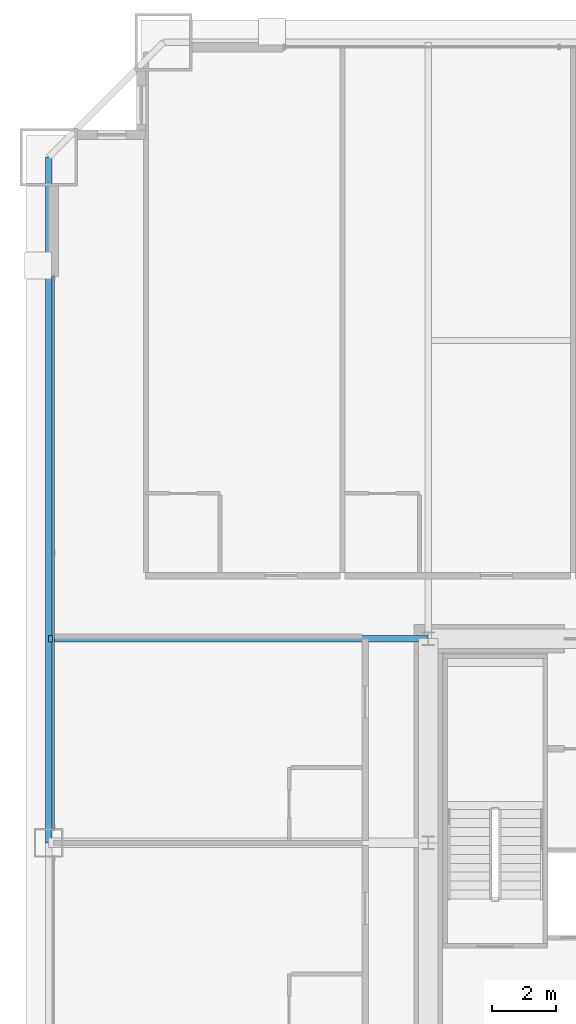
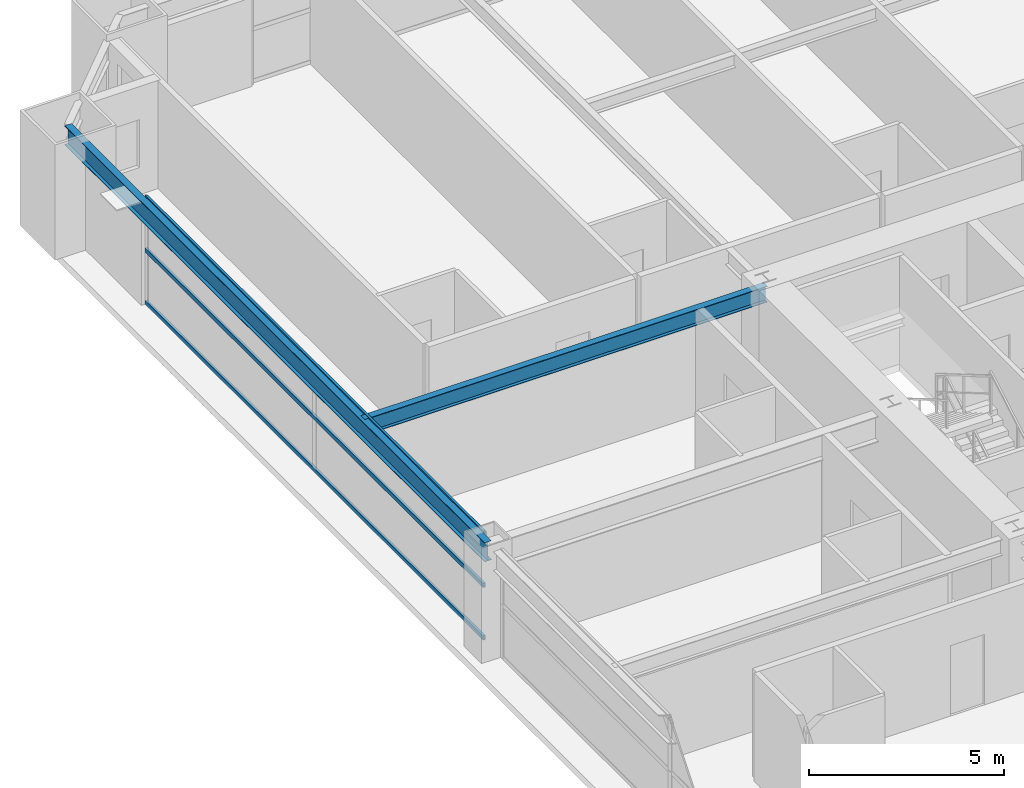
# One storey, part 24 of 45: 3 members, 2 beams, 1 element without a shape of its own.
"""IFC4 building model written with IfcOpenShell, lengths in metres."""

from ifc_helpers import new_model, si_unit, direction, frame, origin, origin_2d, place, context, subcontext, project, spatial, hollow_rectangle, i_section, extrude, source, transform, mapped, material, layer, layer_set, material_profile, profile_set, type_object, element, aggregate, save


model = new_model("IFC4")

# Units and contexts
model_context = context("Model", 3, precision=1e-05, world=origin(), true_north=direction((0.0, 1.0)))
body_context = subcontext(model_context, "Body", "Model", "MODEL_VIEW")
ifc_project = project(units=[si_unit("LENGTHUNIT", "METRE"), si_unit("AREAUNIT", "SQUARE_METRE"), si_unit("VOLUMEUNIT", "CUBIC_METRE"), si_unit("PLANEANGLEUNIT", "RADIAN"), si_unit("MASSUNIT", "GRAM", prefix="KILO"), si_unit("THERMODYNAMICTEMPERATUREUNIT", "KELVIN"), si_unit("POWERUNIT", "WATT")], contexts=[model_context])

# Site, building, storey
site_placement = place(None, origin())
site = spatial("IfcSite", under=ifc_project, at=site_placement, CompositionType="ELEMENT")
building_placement = place(site_placement, origin())
building = spatial("IfcBuilding", under=site, at=building_placement, Name="Yuzanri Waterfront Tower", CompositionType="ELEMENT")
storey_placement = place(building_placement, frame((0.0, 0.0, 49.60009765625)))
storey = spatial("IfcBuildingStorey", under=building, at=storey_placement, Name="L12", CompositionType="ELEMENT", Elevation=49.60009765625)

# Beams
ifc_material_1 = material(Name="Steel Q355B", Category="steel")
ifc_material_profile_1 = material_profile(ifc_material_1, i_section(OverallWidth=0.199951171875, OverallDepth=0.60009765625, WebThickness=0.010986328125, FlangeThickness=0.01708984375, at=origin_2d()), Name="HN 600x200x11x17")
ifc_profile_set_1 = profile_set([ifc_material_profile_1], Name="Steel Q355B")
beam_type_1 = type_object("IfcBeamType", Name="Perimeter Spandrel Q355B HN 600x200", PredefinedType="SPANDREL", material=ifc_profile_set_1)
shared_shape_1 = source(origin(), body_context, "Body", "SweptSolid", [
    extrude(i_section(OverallWidth=0.199951171875, OverallDepth=0.60009765625, WebThickness=0.010986328125, FlangeThickness=0.01708984375, at=origin_2d()), origin(), (0.0, 0.0, 1.0), 21.5),
])
beam_1_placement = place(storey_placement, frame((11.89990234375, 47.300048828125, 3.079833984375), z_axis=(0.0, -1.0, 0.0), x_axis=(1.0, 0.0, 0.0)))
element("IfcBeam", 1, at=beam_1_placement, inside=storey, type_object=beam_type_1, Name="L12 Perimeter Spandrel W3-W2", PredefinedType="SPANDREL", context=body_context, shape_type="MappedRepresentation", body=[
    mapped(shared_shape_1, transform((0.0, 0.0, 0.0), scale=1.0)),
])
ifc_material_2 = material(Name="Steel Q355B", Category="steel")
ifc_material_profile_2 = material_profile(ifc_material_2, i_section(OverallWidth=0.199951171875, OverallDepth=0.5, WebThickness=0.010009765625, FlangeThickness=0.01611328125, at=origin_2d()), Name="HN 500x200x10x16")
ifc_profile_set_2 = profile_set([ifc_material_profile_2], Name="Steel Q355B")
beam_type_2 = type_object("IfcBeamType", Name="Secondary Floor Beam Q355B HN 500x200", PredefinedType="BEAM", material=ifc_profile_set_2)
shared_shape_2 = source(origin(), body_context, "Body", "SweptSolid", [
    extrude(i_section(OverallWidth=0.199951171875, OverallDepth=0.5, WebThickness=0.010009765625, FlangeThickness=0.01611328125, at=origin_2d()), origin(), (0.0, 0.0, 1.0), 11.900146484375),
])
beam_2_placement = place(storey_placement, frame((23.800048828125, 32.199951171875, 3.1298828125), z_axis=(-1.0, 0.0, 0.0), x_axis=(0.0, -1.0, 0.0)))
element("IfcBeam", 2, at=beam_2_placement, inside=storey, type_object=beam_type_2, Name="L12 West-North Core Line Beam", PredefinedType="BEAM", context=body_context, shape_type="MappedRepresentation", body=[
    mapped(shared_shape_2, transform((0.0, 0.0, 0.0), scale=1.0)),
])

# Curtain wall, members
ifc_material_3 = material(Name="Anodized Architectural Bronze", Category="metal")
ifc_layer = layer(ifc_material_3, 0.159912109375)
ifc_layer_set = layer_set([ifc_layer], Name="Anodized Architectural Bronze")
curtain_wall_type = type_object("IfcCurtainWallType", Name="Anodized Bronze Hotel Lower-Tier Recessed Unitized Curtain Wall 8100", PredefinedType="NOTDEFINED", material=ifc_layer_set)
curtain_wall_placement = place(storey_placement, origin())
curtain_wall = element("IfcCurtainWall", 3, at=curtain_wall_placement, inside=storey, type_object=curtain_wall_type, Name="L12 Curtain Wall CW-L12-WR", PredefinedType="NOTDEFINED")
ifc_material_4 = material(Name="Anodized Architectural Bronze", Category="metal")
ifc_material_profile_3 = material_profile(ifc_material_4, hollow_rectangle(XDim=0.070068359375, YDim=0.135009765625, WallThickness=0.00341796875, at=origin_2d()), Name="CWT 70x135")
ifc_profile_set_3 = profile_set([ifc_material_profile_3], Name="Anodized Architectural Bronze")
member_type = type_object("IfcMemberType", Name="Anodized Bronze Standard Curtain-Wall Transom 70x135", PredefinedType="USERDEFINED", material=ifc_profile_set_3)
shared_shape_3 = source(origin(), body_context, "Body", "SweptSolid", [
    extrude(hollow_rectangle(XDim=0.070068359375, YDim=0.135009765625, WallThickness=0.00341796875, at=origin_2d()), origin(), (0.0, 0.0, 1.0), 17.300048828125),
])
member_1_placement = place(storey_placement, frame((12.050048828125, 26.25, 0.0498046875), z_axis=(0.0, 1.0, 0.0), x_axis=(-1.0, 0.0, 0.0)))
member_1 = element("IfcMember", 4, at=member_1_placement, type_object=member_type, Name="CW-L12-WR Transom 1", ObjectType="TRANSOM", PredefinedType="USERDEFINED", context=body_context, shape_type="MappedRepresentation", body=[
    mapped(shared_shape_3, transform((0.0, 0.0, 0.0), scale=1.0)),
])
member_2_placement = place(storey_placement, frame((12.050048828125, 26.25, 1.68994140625), z_axis=(0.0, 1.0, 0.0), x_axis=(-1.0, 0.0, 0.0)))
member_2 = element("IfcMember", 5, at=member_2_placement, type_object=member_type, Name="CW-L12-WR Transom 2", ObjectType="TRANSOM", PredefinedType="USERDEFINED", context=body_context, shape_type="MappedRepresentation", body=[
    mapped(shared_shape_3, transform((0.0, 0.0, 0.0), scale=1.0)),
])
member_3_placement = place(storey_placement, frame((12.050048828125, 26.25, 3.329833984375), z_axis=(0.0, 1.0, 0.0), x_axis=(-1.0, 0.0, 0.0)))
member_3 = element("IfcMember", 6, at=member_3_placement, type_object=member_type, Name="CW-L12-WR Transom 3", ObjectType="TRANSOM", PredefinedType="USERDEFINED", context=body_context, shape_type="MappedRepresentation", body=[
    mapped(shared_shape_3, transform((0.0, 0.0, 0.0), scale=1.0)),
])
aggregate(curtain_wall, [member_1, member_2, member_3])

save(model, "model.ifc")
